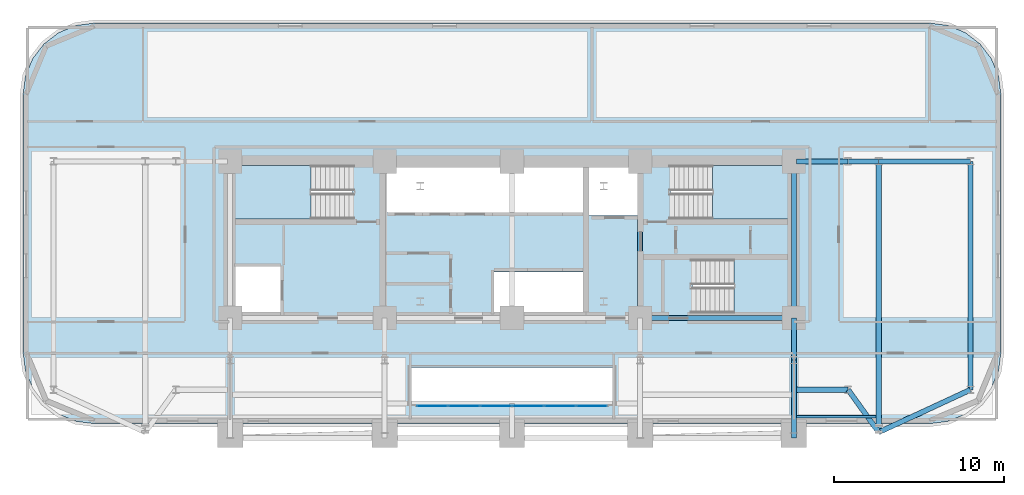
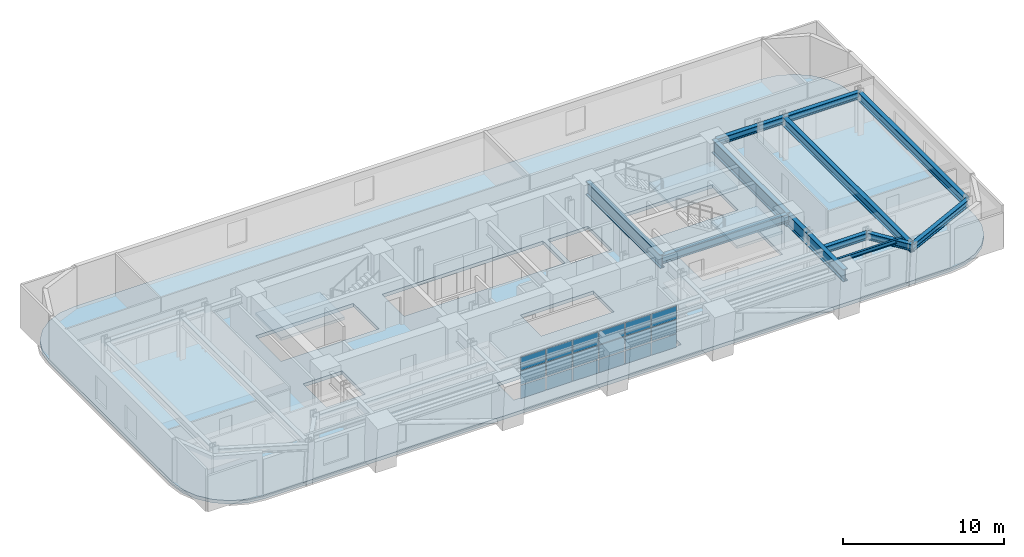
# One storey, part 6 of 15: 18 plates, 14 beams, 4 slabs, 4 elements without a shape of their own.
"""IFC4 building model written with IfcOpenShell, lengths in metres."""

import ifcopenshell
import ifcopenshell.guid

model = None  # the IFC model being written
_history = None  # IfcOwnerHistory: only IFC2X3 demands one
_inside = {}  # id of a spatial element -> (the spatial element, [elements in it])
_under = {}  # id of a project, library or spatial element -> (it, [spatial elements below it])
_declared = {}  # id of a project -> (the project, [libraries it declares])
_typed = {}  # id of a type object -> (the type object, [elements of that type])
_made_of = {}  # id of a material, layer set ... -> (it, [elements and type objects made of it])


def new_model(schema):
    """Start an empty IFC model of exactly this schema.

    Asked for "IFC4X3", IfcOpenShell would pick the latest addendum, in which some entities
    have other attributes; the version numbers below select the first issue.
    IFC2X3 requires an IfcOwnerHistory on every rooted entity: one is made here for all.
    """
    global model, _history
    if schema == "IFC4X3":
        model = ifcopenshell.file(schema_version=(4, 3, 0, 0))
    else:
        model = ifcopenshell.file(schema=schema)
    _inside.clear()
    _under.clear()
    _declared.clear()
    _typed.clear()
    _made_of.clear()
    _history = None
    if model.schema == "IFC2X3":
        org = make("IfcOrganization", Name="unknown")
        user = make(
            "IfcPersonAndOrganization",
            ThePerson=make("IfcPerson", FamilyName="unknown"),
            TheOrganization=org,
        )
        app = make(
            "IfcApplication",
            ApplicationDeveloper=org,
            Version="unknown",
            ApplicationFullName="unknown",
            ApplicationIdentifier="unknown",
        )
        _history = make(
            "IfcOwnerHistory",
            OwningUser=user,
            OwningApplication=app,
            ChangeAction="ADDED",
            CreationDate=0,
        )
    return model


def make(cls, **values):
    """One entity of the class cls with the attributes given. An attribute that is None is left unset."""
    return model.create_entity(
        cls, **{name: value for name, value in values.items() if value is not None}
    )


def rooted(cls, **values):
    """An entity with a GlobalId (a new one), such as an element, a storey or a relation."""
    return make(cls, GlobalId=ifcopenshell.guid.new(), OwnerHistory=_history, **values)


def si_unit(unit_type, name, prefix=None):
    """IfcSIUnit, for example si_unit("LENGTHUNIT", "METRE", prefix="MILLI")."""
    return make("IfcSIUnit", UnitType=unit_type, Prefix=prefix, Name=name)


def assignment(units):
    """IfcUnitAssignment: the units of a project."""
    return None if units is None else make("IfcUnitAssignment", Units=units)


def point(xyz):
    """IfcCartesianPoint."""
    return None if xyz is None else make("IfcCartesianPoint", Coordinates=xyz)


def direction(xyz):
    """IfcDirection."""
    return None if xyz is None else make("IfcDirection", DirectionRatios=xyz)


def frame(location, z_axis=None, x_axis=None):
    """IfcAxis2Placement3D, a coordinate frame: its origin and axes. An axis left out is left unset."""
    return make(
        "IfcAxis2Placement3D",
        Location=point(location),
        Axis=direction(z_axis),
        RefDirection=direction(x_axis),
    )


def frame_2d(location, x_axis=None):
    """IfcAxis2Placement2D, a coordinate frame in the plane: its origin and x axis."""
    return make(
        "IfcAxis2Placement2D", Location=point(location), RefDirection=direction(x_axis)
    )


def origin():
    """The frame at (0, 0, 0) with its axes left unset."""
    return frame((0.0, 0.0, 0.0))


def origin_2d():
    """The frame at (0, 0) in the plane with its x axis left unset."""
    return frame_2d((0.0, 0.0))


def place(relative_to, where):
    """IfcLocalPlacement: puts the frame where relative to a parent placement (None: the world)."""
    return make(
        "IfcLocalPlacement", PlacementRelTo=relative_to, RelativePlacement=where
    )


def context(
    kind, dimensions, precision=None, world=None, true_north=None, identifier=None
):
    """IfcGeometricRepresentationContext, for example the 3D "Model" context."""
    return make(
        "IfcGeometricRepresentationContext",
        ContextIdentifier=identifier,
        ContextType=kind,
        CoordinateSpaceDimension=dimensions,
        Precision=precision,
        WorldCoordinateSystem=world,
        TrueNorth=true_north,
    )


def subcontext(parent, identifier, kind, view, scale=None):
    """IfcGeometricRepresentationSubContext, for example "Body" below "Model"."""
    return make(
        "IfcGeometricRepresentationSubContext",
        ContextIdentifier=identifier,
        ContextType=kind,
        ParentContext=parent,
        TargetScale=scale,
        TargetView=view,
    )


def project(units=None, contexts=None):
    """IfcProject with its units and contexts."""
    return rooted(
        "IfcProject",
        Name="project",
        RepresentationContexts=contexts,
        UnitsInContext=assignment(units),
    )


def spatial(cls, under=None, at=None, **own):
    """A site, building, storey or space (cls), placed at a placement, below another one or the project."""
    s = rooted(cls, ObjectPlacement=at, **own)
    if under is not None:
        _under.setdefault(under.id(), (under, []))[1].append(s)
    return s


def polyline(points):
    """IfcPolyline through the points."""
    return make("IfcPolyline", Points=[point(p) for p in points])


def profile(cls, at=None, kind="AREA", **sizes):
    """A parametric profile (cls). Its sizes go by their IFC names, for example OverallWidth=200.0."""
    return make(cls, ProfileType=kind, Position=at, **sizes)


def rectangle(**sizes):
    """IfcRectangleProfileDef."""
    return profile("IfcRectangleProfileDef", **sizes)


def i_section(**sizes):
    """IfcIShapeProfileDef."""
    return profile("IfcIShapeProfileDef", **sizes)


def outline(outer, holes=None, kind="AREA"):
    """IfcArbitraryClosedProfileDef: a profile drawn as a closed curve; with holes, ...WithVoids."""
    if holes is None:
        return make("IfcArbitraryClosedProfileDef", ProfileType=kind, OuterCurve=outer)
    return make(
        "IfcArbitraryProfileDefWithVoids",
        ProfileType=kind,
        OuterCurve=outer,
        InnerCurves=holes,
    )


def extrude(swept, where, along, depth):
    """IfcExtrudedAreaSolid: the profile swept, set in the frame where, extruded along a direction by depth."""
    return make(
        "IfcExtrudedAreaSolid",
        SweptArea=swept,
        Position=where,
        ExtrudedDirection=direction(along),
        Depth=depth,
    )


def shape(context_of_items, identifier, shape_type, items):
    """IfcShapeRepresentation: the items that make up one representation, for example the "Body"."""
    return make(
        "IfcShapeRepresentation",
        ContextOfItems=context_of_items,
        RepresentationIdentifier=identifier,
        RepresentationType=shape_type,
        Items=items,
    )


def material(Name=None, Category=None):
    """IfcMaterial."""
    return make("IfcMaterial", Name=Name, Category=Category)


def layer(
    of_material, thickness, ventilated=None, Name=None, Category=None, Priority=None
):
    """IfcMaterialLayer: one layer of a wall or slab, of a material (None: an air gap)."""
    return make(
        "IfcMaterialLayer",
        Material=of_material,
        LayerThickness=thickness,
        IsVentilated=ventilated,
        Name=Name,
        Category=Category,
        Priority=Priority,
    )


def layer_set(layers, Name=None):
    """IfcMaterialLayerSet."""
    return make("IfcMaterialLayerSet", MaterialLayers=layers, LayerSetName=Name)


def material_profile(
    of_material, cross_section, Name=None, Category=None, Priority=None
):
    """IfcMaterialProfile: a cross section and its material."""
    return make(
        "IfcMaterialProfile",
        Name=Name,
        Material=of_material,
        Profile=cross_section,
        Priority=Priority,
        Category=Category,
    )


def profile_set(profiles, Name=None, composite=None):
    """IfcMaterialProfileSet."""
    return make(
        "IfcMaterialProfileSet",
        Name=Name,
        MaterialProfiles=profiles,
        CompositeProfile=composite,
    )


def made_of(thing, what):
    """Note that an element or type object is made of a material, layer set ...; save() writes the relation."""
    if what is not None:
        _made_of.setdefault(what.id(), (what, []))[1].append(thing)
    return thing


def type_object(cls, material=None, **own):
    """A type object (cls), such as IfcWallType, which elements share."""
    return made_of(rooted(cls, **own), material)


def element(
    cls,
    number,
    at=None,
    inside=None,
    cuts=None,
    type_object=None,
    material=None,
    context=None,
    identifier="Body",
    shape_type=None,
    held_by="IfcProductDefinitionShape",
    body=None,
    shapes=None,
    **own,
):
    """One element of the class cls, such as IfcWall. Its Tag is "e" and its number.

    at: its placement. inside: the storey or other place that contains it. cuts: it is an
    opening in that element (IfcRelVoidsElement). A single representation is given by context,
    identifier, shape_type and body (its items); several are given by shapes. held_by: the class
    of the entity that holds the representations. save() writes the other relations.
    """
    e = rooted(cls, Tag="e%d" % number, ObjectPlacement=at, **own)
    if body is not None:
        shapes = [shape(context, identifier, shape_type, body)]
    if shapes is not None:
        e.Representation = make(held_by, Representations=shapes)
    if inside is not None:
        _inside.setdefault(inside.id(), (inside, []))[1].append(e)
    if cuts is not None:
        rooted(
            "IfcRelVoidsElement", RelatingBuildingElement=cuts, RelatedOpeningElement=e
        )
    if type_object is not None:
        _typed.setdefault(type_object.id(), (type_object, []))[1].append(e)
    return made_of(e, material)


def aggregate(whole, parts):
    """IfcRelAggregates: a whole, such as a stair, and the parts it consists of."""
    return rooted("IfcRelAggregates", RelatingObject=whole, RelatedObjects=parts)


def save(model, path):
    """Write the relations noted so far, then the file.

    IfcRelAggregates (storeys below a building ...), IfcRelContainedInSpatialStructure (elements
    in a storey), IfcRelDefinesByType, IfcRelAssociatesMaterial and IfcRelDeclares: one each for
    every whole, place, type object, material and project.
    """
    for whole, parts in _under.values():
        aggregate(whole, parts)
    for where, things in _inside.values():
        rooted(
            "IfcRelContainedInSpatialStructure",
            RelatedElements=things,
            RelatingStructure=where,
        )
    for kind, things in _typed.values():
        rooted("IfcRelDefinesByType", RelatedObjects=things, RelatingType=kind)
    for what, things in _made_of.values():
        rooted("IfcRelAssociatesMaterial", RelatedObjects=things, RelatingMaterial=what)
    for by, libraries in _declared.values():
        rooted("IfcRelDeclares", RelatingContext=by, RelatedDefinitions=libraries)
    model.write(path)


model = new_model("IFC4")

# Units and contexts
model_context = context("Model", 3, precision=1e-05, world=origin(), true_north=direction((0.0, 1.0)))
body_context = subcontext(model_context, "Body", "Model", "MODEL_VIEW")
ifc_project = project(units=[si_unit("LENGTHUNIT", "METRE"), si_unit("AREAUNIT", "SQUARE_METRE"), si_unit("VOLUMEUNIT", "CUBIC_METRE"), si_unit("PLANEANGLEUNIT", "RADIAN"), si_unit("MASSUNIT", "GRAM", prefix="KILO")], contexts=[model_context])

# Site, building, storey
site_placement = place(None, origin())
site = spatial("IfcSite", under=ifc_project, at=site_placement, CompositionType="ELEMENT")
building_placement = place(site_placement, origin())
building = spatial("IfcBuilding", under=site, at=building_placement, Name="Zarnavel Station Tower", CompositionType="ELEMENT")
storey_placement = place(building_placement, frame((0.0, 0.0, 57.0)))
storey = spatial("IfcBuildingStorey", under=building, at=storey_placement, Name="L15", CompositionType="ELEMENT", Elevation=57.0)

# Beams
ifc_material_1 = material(Name="Steel S355J2", Category="steel")
ifc_material_profile_1 = material_profile(ifc_material_1, i_section(OverallWidth=0.300048828125, OverallDepth=0.5, WebThickness=0.014404296875, FlangeThickness=0.028076171875, FilletRadius=0.027099609375, at=origin_2d()), Name="HEB500")
ifc_profile_set_1 = profile_set([ifc_material_profile_1], Name="Steel S355J2")
beam_type_1 = type_object("IfcBeamType", Name="FG_HEB500", PredefinedType="USERDEFINED", material=ifc_profile_set_1)
for number, where, z_axis, x_axis, name in (
    (1, (45.544921875, 23.60009765625, 2.989990234375), (1.0, 0.0, 0.0), (0.0, 1.0, 0.0), "L15 East Wing South Tie 1"),
    (2, (45.544921875, 37.050048828125, 2.989990234375), (1.0, 0.0, 0.0), (0.0, 1.0, 0.0), "L15 East Wing North Tie 1"),
):
    element("IfcBeam", number, at=place(storey_placement, frame(where, z_axis=z_axis, x_axis=x_axis)), inside=storey, type_object=beam_type_1, Name=name, ObjectType="GIRDER", PredefinedType="USERDEFINED", context=body_context, shape_type="SweptSolid", body=[
        extrude(i_section(OverallWidth=0.300048828125, OverallDepth=0.5, WebThickness=0.014404296875, FlangeThickness=0.028076171875, FilletRadius=0.027099609375, at=origin_2d()), origin(), (0.0, 0.0, 1.0), 3.05517578125),
    ])
beam_1_placement = place(storey_placement, frame((48.60009765625, 23.60009765625, 2.989990234375), z_axis=(0.583662149907, -0.811996610071, 0.0), x_axis=(0.811996610071, 0.583662149907, 0.0)))
element("IfcBeam", 3, at=beam_1_placement, inside=storey, type_object=beam_type_1, Name="L15 East Wing South Tie 2", ObjectType="GIRDER", PredefinedType="USERDEFINED", context=body_context, shape_type="SweptSolid", body=[
    extrude(i_section(OverallWidth=0.300048828125, OverallDepth=0.5, WebThickness=0.014404296875, FlangeThickness=0.028076171875, FilletRadius=0.027099609375, at=origin_2d()), origin(), (0.0, 0.0, 1.0), 3.083740234375),
])
beam_2_placement = place(storey_placement, frame((48.60009765625, 37.050048828125, 2.989990234375), z_axis=(1.0, 0.0, 0.0), x_axis=(0.0, 1.0, 0.0)))
element("IfcBeam", 4, at=beam_2_placement, inside=storey, type_object=beam_type_1, Name="L15 East Wing North Tie 2", ObjectType="GIRDER", PredefinedType="USERDEFINED", context=body_context, shape_type="SweptSolid", body=[
    extrude(i_section(OverallWidth=0.300048828125, OverallDepth=0.5, WebThickness=0.014404296875, FlangeThickness=0.028076171875, FilletRadius=0.027099609375, at=origin_2d()), origin(), (0.0, 0.0, 1.0), 1.7998046875),
])
beam_3_placement = place(storey_placement, frame((50.39990234375, 21.09619140625, 2.989990234375), z_axis=(0.907220902242, 0.4206545311, 0.0), x_axis=(-0.4206545311, 0.907220902242, 0.0)))
element("IfcBeam", 5, at=beam_3_placement, inside=storey, type_object=beam_type_1, Name="L15 East Wing South Tie 3", ObjectType="GIRDER", PredefinedType="USERDEFINED", context=body_context, shape_type="SweptSolid", body=[
    extrude(i_section(OverallWidth=0.300048828125, OverallDepth=0.5, WebThickness=0.014404296875, FlangeThickness=0.028076171875, FilletRadius=0.027099609375, at=origin_2d()), origin(), (0.0, 0.0, 1.0), 5.952392578125),
])
beam_4_placement = place(storey_placement, frame((50.39990234375, 37.050048828125, 2.989990234375), z_axis=(1.0, 0.0, 0.0), x_axis=(0.0, 1.0, 0.0)))
element("IfcBeam", 6, at=beam_4_placement, inside=storey, type_object=beam_type_1, Name="L15 East Wing North Tie 3", ObjectType="GIRDER", PredefinedType="USERDEFINED", context=body_context, shape_type="SweptSolid", body=[
    extrude(i_section(OverallWidth=0.300048828125, OverallDepth=0.5, WebThickness=0.014404296875, FlangeThickness=0.028076171875, FilletRadius=0.027099609375, at=origin_2d()), origin(), (0.0, 0.0, 1.0), 5.400146484375),
])
ifc_material_2 = material(Name="Steel S355J2", Category="steel")
ifc_material_profile_2 = material_profile(ifc_material_2, i_section(OverallWidth=0.300048828125, OverallDepth=0.60009765625, WebThickness=0.015380859375, FlangeThickness=0.030029296875, FilletRadius=0.027099609375, at=origin_2d()), Name="HEB600")
ifc_profile_set_2 = profile_set([ifc_material_profile_2], Name="Steel S355J2")
beam_type_2 = type_object("IfcBeamType", Name="FG_HEB600", PredefinedType="USERDEFINED", material=ifc_profile_set_2)
beam_5_placement = place(storey_placement, frame((36.35009765625, 27.820068359375, 2.93994140625), z_axis=(1.0, 0.0, 0.0), x_axis=(0.0, 1.0, 0.0)))
element("IfcBeam", 7, at=beam_5_placement, inside=storey, type_object=beam_type_2, Name="L15 Core Front Coupling Beam 4", ObjectType="GIRDER", PredefinedType="USERDEFINED", context=body_context, shape_type="SweptSolid", body=[
    extrude(i_section(OverallWidth=0.300048828125, OverallDepth=0.60009765625, WebThickness=0.015380859375, FlangeThickness=0.030029296875, FilletRadius=0.027099609375, at=origin_2d()), origin(), (0.0, 0.0, 1.0), 9.0498046875),
])
ifc_material_3 = material(Name="Steel S355J2", Category="steel")
ifc_material_profile_3 = material_profile(ifc_material_3, i_section(OverallWidth=0.300048828125, OverallDepth=0.64990234375, WebThickness=0.01611328125, FlangeThickness=0.031005859375, FilletRadius=0.027099609375, at=origin_2d()), Name="HEB650")
ifc_profile_set_3 = profile_set([ifc_material_profile_3], Name="Steel S355J2")
beam_type_3 = type_object("IfcBeamType", Name="FG_HEB650", PredefinedType="USERDEFINED", material=ifc_profile_set_3)
beam_6_placement = place(storey_placement, frame((50.39990234375, 21.09619140625, 2.9150390625), z_axis=(0.0, 1.0, 0.0), x_axis=(-1.0, 0.0, 0.0)))
element("IfcBeam", 8, at=beam_6_placement, inside=storey, type_object=beam_type_3, Name="L15 Wing NS Girder 3", ObjectType="GIRDER", PredefinedType="USERDEFINED", context=body_context, shape_type="SweptSolid", body=[
    extrude(i_section(OverallWidth=0.300048828125, OverallDepth=0.64990234375, WebThickness=0.01611328125, FlangeThickness=0.031005859375, FilletRadius=0.027099609375, at=origin_2d()), origin(), (0.0, 0.0, 1.0), 15.953857421875),
])
beam_7_placement = place(storey_placement, frame((55.800048828125, 23.60009765625, 2.9150390625), z_axis=(0.0, 1.0, 0.0), x_axis=(-1.0, 0.0, 0.0)))
element("IfcBeam", 9, at=beam_7_placement, inside=storey, type_object=beam_type_3, Name="L15 Wing NS Girder 4", ObjectType="GIRDER", PredefinedType="USERDEFINED", context=body_context, shape_type="SweptSolid", body=[
    extrude(i_section(OverallWidth=0.300048828125, OverallDepth=0.64990234375, WebThickness=0.01611328125, FlangeThickness=0.031005859375, FilletRadius=0.027099609375, at=origin_2d()), origin(), (0.0, 0.0, 1.0), 13.449951171875),
])
ifc_material_4 = material(Name="Steel S355J2", Category="steel")
ifc_material_profile_4 = material_profile(ifc_material_4, i_section(OverallWidth=0.14990234375, OverallDepth=0.300048828125, WebThickness=0.007080078125, FlangeThickness=0.0107421875, FilletRadius=0.014892578125, at=origin_2d()), Name="IPE300")
ifc_profile_set_4 = profile_set([ifc_material_profile_4], Name="Steel S355J2")
beam_type_4 = type_object("IfcBeamType", Name="FJ_IPE300", PredefinedType="JOIST", material=ifc_profile_set_4)
beam_8_placement = place(storey_placement, frame((45.544921875, 22.0126953125, 3.090087890625), z_axis=(1.0, 0.0, 0.0), x_axis=(0.0, 1.0, 0.0)))
element("IfcBeam", 10, at=beam_8_placement, inside=storey, type_object=beam_type_4, Name="L15 East Wing Joist 1", PredefinedType="JOIST", context=body_context, shape_type="SweptSolid", body=[
    extrude(i_section(OverallWidth=0.14990234375, OverallDepth=0.300048828125, WebThickness=0.007080078125, FlangeThickness=0.0107421875, FilletRadius=0.014892578125, at=origin_2d()), origin(), (0.0, 0.0, 1.0), 4.7099609375),
])
ifc_material_5 = material(Name="Steel S460M", Category="steel")
ifc_material_profile_5 = material_profile(ifc_material_5, i_section(OverallWidth=0.302001953125, OverallDepth=1.008056640625, WebThickness=0.02099609375, FlangeThickness=0.0400390625, FilletRadius=0.030029296875, at=origin_2d()), Name="HEM1000")
ifc_profile_set_5 = profile_set([ifc_material_profile_5], Name="Steel S460M")
beam_type_5 = type_object("IfcBeamType", Name="TG_HEM1000", PredefinedType="USERDEFINED", material=ifc_profile_set_5)
for number, where, z_axis, x_axis, name in (
    (11, (36.35009765625, 27.820068359375, 2.736083984375), (0.0, 1.0, 0.0), (-1.0, 0.0, 0.0), "L15 Core Spine Coupling Girder 4"),
    (12, (45.39990234375, 27.820068359375, 2.736083984375), (0.0, 1.0, 0.0), (-1.0, 0.0, 0.0), "L15 Core Spine Coupling Girder 5"),
):
    element("IfcBeam", number, at=place(storey_placement, frame(where, z_axis=z_axis, x_axis=x_axis)), inside=storey, type_object=beam_type_5, Name=name, ObjectType="GIRDER", PredefinedType="USERDEFINED", context=body_context, shape_type="SweptSolid", body=[
        extrude(i_section(OverallWidth=0.302001953125, OverallDepth=1.008056640625, WebThickness=0.02099609375, FlangeThickness=0.0400390625, FilletRadius=0.030029296875, at=origin_2d()), origin(), (0.0, 0.0, 1.0), 9.22998046875),
    ])
ifc_material_6 = material(Name="Steel S460M", Category="steel")
ifc_material_profile_6 = material_profile(ifc_material_6, i_section(OverallWidth=0.302001953125, OverallDepth=0.909912109375, WebThickness=0.02099609375, FlangeThickness=0.0400390625, FilletRadius=0.030029296875, at=origin_2d()), Name="HEM900")
ifc_profile_set_6 = profile_set([ifc_material_profile_6], Name="Steel S460M")
beam_type_6 = type_object("IfcBeamType", Name="TG_HEM900", PredefinedType="USERDEFINED", material=ifc_profile_set_6)
beam_9_placement = place(storey_placement, frame((45.39990234375, 20.76904296875, 2.784912109375), z_axis=(0.0, 1.0, 0.0), x_axis=(-1.0, 0.0, 0.0)))
element("IfcBeam", 13, at=beam_9_placement, inside=storey, type_object=beam_type_6, Name="L15 South-Zone NS Girder 5", ObjectType="GIRDER", PredefinedType="USERDEFINED", context=body_context, shape_type="SweptSolid", body=[
    extrude(i_section(OverallWidth=0.302001953125, OverallDepth=0.909912109375, WebThickness=0.02099609375, FlangeThickness=0.0400390625, FilletRadius=0.030029296875, at=origin_2d()), origin(), (0.0, 0.0, 1.0), 4.5810546875),
])
beam_10_placement = place(storey_placement, frame((45.39990234375, 25.35009765625, 2.784912109375), z_axis=(0.0, 1.0, 0.0), x_axis=(-1.0, 0.0, 0.0)))
element("IfcBeam", 14, at=beam_10_placement, inside=storey, type_object=beam_type_6, Name="L15 Inner-Zone NS Girder 5", ObjectType="GIRDER", PredefinedType="USERDEFINED", context=body_context, shape_type="SweptSolid", body=[
    extrude(i_section(OverallWidth=0.302001953125, OverallDepth=0.909912109375, WebThickness=0.02099609375, FlangeThickness=0.0400390625, FilletRadius=0.030029296875, at=origin_2d()), origin(), (0.0, 0.0, 1.0), 2.469970703125),
])

# Curtain wall, plates
ifc_material_7 = material(Name="Aluminium Dark Anodised and Solar-Control Glass", Category="aluminium")
ifc_layer_1 = layer(ifc_material_7, 0.179931640625)
ifc_layer_set_1 = layer_set([ifc_layer_1], Name="CWS2")
curtain_wall_type = type_object("IfcCurtainWallType", Name="CWS2", PredefinedType="NOTDEFINED", material=ifc_layer_set_1)
curtain_wall_placement = place(storey_placement, origin())
curtain_wall = element("IfcCurtainWall", 15, at=curtain_wall_placement, inside=storey, type_object=curtain_wall_type, Name="L15 Curtain Wall CWS2-L15-AS", PredefinedType="NOTDEFINED")
ifc_material_8 = material(Name="Double Low-E Dark Solar-Control Glass", Category="glass")
ifc_layer_2 = layer(ifc_material_8, 0.028076171875)
ifc_layer_set_2 = layer_set([ifc_layer_2], Name="CWS2_PNL")
plate_type = type_object("IfcPlateType", Name="CWS2_PNL", PredefinedType="CURTAIN_PANEL", material=ifc_layer_set_2)
plate_1_placement = place(storey_placement, frame((24.106689453125, 22.64990234375, 0.06005859375), z_axis=(0.0, 0.0, 1.0), x_axis=(1.0, 0.0, 0.0)))
plate_1 = element("IfcPlate", 16, at=plate_1_placement, type_object=plate_type, Name="CW2 panel 1.1", PredefinedType="CURTAIN_PANEL", context=body_context, shape_type="SweptSolid", body=[
    extrude(rectangle(XDim=1.793212890625, YDim=0.028076171875, at=origin_2d()), origin(), (0.0, 0.0, 1.0), 0.989990234375),
])
plate_2_placement = place(storey_placement, frame((24.106689453125, 22.64990234375, 1.110107421875), z_axis=(0.0, 0.0, 1.0), x_axis=(1.0, 0.0, 0.0)))
plate_2 = element("IfcPlate", 17, at=plate_2_placement, type_object=plate_type, Name="CW2 panel 1.2", PredefinedType="CURTAIN_PANEL", context=body_context, shape_type="SweptSolid", body=[
    extrude(rectangle(XDim=1.793212890625, YDim=0.028076171875, at=origin_2d()), origin(), (0.0, 0.0, 1.0), 1.02001953125),
])
plate_3_placement = place(storey_placement, frame((24.106689453125, 22.64990234375, 2.18994140625), z_axis=(0.0, 0.0, 1.0), x_axis=(1.0, 0.0, 0.0)))
plate_3 = element("IfcPlate", 18, at=plate_3_placement, type_object=plate_type, Name="CW2 panel 1.3", PredefinedType="CURTAIN_PANEL", context=body_context, shape_type="SweptSolid", body=[
    extrude(rectangle(XDim=1.793212890625, YDim=0.028076171875, at=origin_2d()), origin(), (0.0, 0.0, 1.0), 0.989990234375),
])
plate_4_placement = place(storey_placement, frame((25.97509765625, 22.64990234375, 0.06005859375), z_axis=(0.0, 0.0, 1.0), x_axis=(1.0, 0.0, 0.0)))
plate_4 = element("IfcPlate", 19, at=plate_4_placement, type_object=plate_type, Name="CW2 panel 2.1", PredefinedType="CURTAIN_PANEL", context=body_context, shape_type="SweptSolid", body=[
    extrude(rectangle(XDim=1.8232421875, YDim=0.028076171875, at=origin_2d()), origin(), (0.0, 0.0, 1.0), 0.989990234375),
])
plate_5_placement = place(storey_placement, frame((25.97509765625, 22.64990234375, 1.110107421875), z_axis=(0.0, 0.0, 1.0), x_axis=(1.0, 0.0, 0.0)))
plate_5 = element("IfcPlate", 20, at=plate_5_placement, type_object=plate_type, Name="CW2 panel 2.2", PredefinedType="CURTAIN_PANEL", context=body_context, shape_type="SweptSolid", body=[
    extrude(rectangle(XDim=1.8232421875, YDim=0.028076171875, at=origin_2d()), origin(), (0.0, 0.0, 1.0), 1.02001953125),
])
plate_6_placement = place(storey_placement, frame((25.97509765625, 22.64990234375, 2.18994140625), z_axis=(0.0, 0.0, 1.0), x_axis=(1.0, 0.0, 0.0)))
plate_6 = element("IfcPlate", 21, at=plate_6_placement, type_object=plate_type, Name="CW2 panel 2.3", PredefinedType="CURTAIN_PANEL", context=body_context, shape_type="SweptSolid", body=[
    extrude(rectangle(XDim=1.8232421875, YDim=0.028076171875, at=origin_2d()), origin(), (0.0, 0.0, 1.0), 0.989990234375),
])
plate_7_placement = place(storey_placement, frame((27.8583984375, 22.64990234375, 0.06005859375), z_axis=(0.0, 0.0, 1.0), x_axis=(1.0, 0.0, 0.0)))
plate_7 = element("IfcPlate", 22, at=plate_7_placement, type_object=plate_type, Name="CW2 panel 3.1", PredefinedType="CURTAIN_PANEL", context=body_context, shape_type="SweptSolid", body=[
    extrude(rectangle(XDim=1.8232421875, YDim=0.028076171875, at=origin_2d()), origin(), (0.0, 0.0, 1.0), 0.989990234375),
])
plate_8_placement = place(storey_placement, frame((27.8583984375, 22.64990234375, 1.110107421875), z_axis=(0.0, 0.0, 1.0), x_axis=(1.0, 0.0, 0.0)))
plate_8 = element("IfcPlate", 23, at=plate_8_placement, type_object=plate_type, Name="CW2 panel 3.2", PredefinedType="CURTAIN_PANEL", context=body_context, shape_type="SweptSolid", body=[
    extrude(rectangle(XDim=1.8232421875, YDim=0.028076171875, at=origin_2d()), origin(), (0.0, 0.0, 1.0), 1.02001953125),
])
plate_9_placement = place(storey_placement, frame((27.8583984375, 22.64990234375, 2.18994140625), z_axis=(0.0, 0.0, 1.0), x_axis=(1.0, 0.0, 0.0)))
plate_9 = element("IfcPlate", 24, at=plate_9_placement, type_object=plate_type, Name="CW2 panel 3.3", PredefinedType="CURTAIN_PANEL", context=body_context, shape_type="SweptSolid", body=[
    extrude(rectangle(XDim=1.8232421875, YDim=0.028076171875, at=origin_2d()), origin(), (0.0, 0.0, 1.0), 0.989990234375),
])
plate_10_placement = place(storey_placement, frame((29.74169921875, 22.64990234375, 0.06005859375), z_axis=(0.0, 0.0, 1.0), x_axis=(1.0, 0.0, 0.0)))
plate_10 = element("IfcPlate", 25, at=plate_10_placement, type_object=plate_type, Name="CW2 panel 4.1", PredefinedType="CURTAIN_PANEL", context=body_context, shape_type="SweptSolid", body=[
    extrude(rectangle(XDim=1.8232421875, YDim=0.028076171875, at=origin_2d()), origin(), (0.0, 0.0, 1.0), 0.989990234375),
])
plate_11_placement = place(storey_placement, frame((29.74169921875, 22.64990234375, 1.110107421875), z_axis=(0.0, 0.0, 1.0), x_axis=(1.0, 0.0, 0.0)))
plate_11 = element("IfcPlate", 26, at=plate_11_placement, type_object=plate_type, Name="CW2 panel 4.2", PredefinedType="CURTAIN_PANEL", context=body_context, shape_type="SweptSolid", body=[
    extrude(rectangle(XDim=1.8232421875, YDim=0.028076171875, at=origin_2d()), origin(), (0.0, 0.0, 1.0), 1.02001953125),
])
plate_12_placement = place(storey_placement, frame((29.74169921875, 22.64990234375, 2.18994140625), z_axis=(0.0, 0.0, 1.0), x_axis=(1.0, 0.0, 0.0)))
plate_12 = element("IfcPlate", 27, at=plate_12_placement, type_object=plate_type, Name="CW2 panel 4.3", PredefinedType="CURTAIN_PANEL", context=body_context, shape_type="SweptSolid", body=[
    extrude(rectangle(XDim=1.8232421875, YDim=0.028076171875, at=origin_2d()), origin(), (0.0, 0.0, 1.0), 0.989990234375),
])
plate_13_placement = place(storey_placement, frame((31.625, 22.64990234375, 0.06005859375), z_axis=(0.0, 0.0, 1.0), x_axis=(1.0, 0.0, 0.0)))
plate_13 = element("IfcPlate", 28, at=plate_13_placement, type_object=plate_type, Name="CW2 panel 5.1", PredefinedType="CURTAIN_PANEL", context=body_context, shape_type="SweptSolid", body=[
    extrude(rectangle(XDim=1.8232421875, YDim=0.028076171875, at=origin_2d()), origin(), (0.0, 0.0, 1.0), 0.989990234375),
])
plate_14_placement = place(storey_placement, frame((31.625, 22.64990234375, 1.110107421875), z_axis=(0.0, 0.0, 1.0), x_axis=(1.0, 0.0, 0.0)))
plate_14 = element("IfcPlate", 29, at=plate_14_placement, type_object=plate_type, Name="CW2 panel 5.2", PredefinedType="CURTAIN_PANEL", context=body_context, shape_type="SweptSolid", body=[
    extrude(rectangle(XDim=1.8232421875, YDim=0.028076171875, at=origin_2d()), origin(), (0.0, 0.0, 1.0), 1.02001953125),
])
plate_15_placement = place(storey_placement, frame((31.625, 22.64990234375, 2.18994140625), z_axis=(0.0, 0.0, 1.0), x_axis=(1.0, 0.0, 0.0)))
plate_15 = element("IfcPlate", 30, at=plate_15_placement, type_object=plate_type, Name="CW2 panel 5.3", PredefinedType="CURTAIN_PANEL", context=body_context, shape_type="SweptSolid", body=[
    extrude(rectangle(XDim=1.8232421875, YDim=0.028076171875, at=origin_2d()), origin(), (0.0, 0.0, 1.0), 0.989990234375),
])
plate_16_placement = place(storey_placement, frame((33.493408203125, 22.64990234375, 0.06005859375), z_axis=(0.0, 0.0, 1.0), x_axis=(1.0, 0.0, 0.0)))
plate_16 = element("IfcPlate", 31, at=plate_16_placement, type_object=plate_type, Name="CW2 panel 6.1", PredefinedType="CURTAIN_PANEL", context=body_context, shape_type="SweptSolid", body=[
    extrude(rectangle(XDim=1.793212890625, YDim=0.028076171875, at=origin_2d()), origin(), (0.0, 0.0, 1.0), 0.989990234375),
])
plate_17_placement = place(storey_placement, frame((33.493408203125, 22.64990234375, 1.110107421875), z_axis=(0.0, 0.0, 1.0), x_axis=(1.0, 0.0, 0.0)))
plate_17 = element("IfcPlate", 32, at=plate_17_placement, type_object=plate_type, Name="CW2 panel 6.2", PredefinedType="CURTAIN_PANEL", context=body_context, shape_type="SweptSolid", body=[
    extrude(rectangle(XDim=1.793212890625, YDim=0.028076171875, at=origin_2d()), origin(), (0.0, 0.0, 1.0), 1.02001953125),
])
plate_18_placement = place(storey_placement, frame((33.493408203125, 22.64990234375, 2.18994140625), z_axis=(0.0, 0.0, 1.0), x_axis=(1.0, 0.0, 0.0)))
plate_18 = element("IfcPlate", 33, at=plate_18_placement, type_object=plate_type, Name="CW2 panel 6.3", PredefinedType="CURTAIN_PANEL", context=body_context, shape_type="SweptSolid", body=[
    extrude(rectangle(XDim=1.793212890625, YDim=0.028076171875, at=origin_2d()), origin(), (0.0, 0.0, 1.0), 0.989990234375),
])
aggregate(curtain_wall, [plate_1, plate_2, plate_3, plate_4, plate_5, plate_6, plate_7, plate_8, plate_9, plate_10, plate_11, plate_12, plate_13, plate_14, plate_15, plate_16, plate_17, plate_18])

# Slab
ifc_material_9 = material(Name="Concrete C45/55", Category="concrete")
ifc_layer_3 = layer(ifc_material_9, 0.260009765625)
ifc_layer_set_3 = layer_set([ifc_layer_3], Name="SL_FLR_260")
slab_type_1 = type_object("IfcSlabType", Name="SL_FLR_260", PredefinedType="FLOOR", material=ifc_layer_set_3)
slab_1_placement = place(storey_placement, frame((0.0, 0.0, -0.260009765625)))
element("IfcSlab", 34, at=slab_1_placement, inside=storey, type_object=slab_type_1, Name="L15 Structural Floor Slab", PredefinedType="FLOOR", context=body_context, shape_type="SweptSolid", body=[
    extrude(outline(polyline([(53.39990234375, 21.60009765625), (54.487060546875, 21.7431640625), (55.5, 22.16259765625), (56.369873046875, 22.830078125), (57.037353515625, 23.699951171875), (57.456787109375, 24.712890625), (57.60009765625, 25.800048828125), (57.60009765625, 41.0), (57.456787109375, 42.0869140625), (57.037353515625, 43.10009765625), (56.369873046875, 43.9697265625), (55.5, 44.63720703125), (54.487060546875, 45.056884765625), (53.39990234375, 45.199951171875), (4.199951171875, 45.199951171875), (3.113037109375, 45.056884765625), (2.10009765625, 44.63720703125), (1.230224609375, 43.9697265625), (0.562744140625, 43.10009765625), (0.14306640625, 42.0869140625), (0.0, 41.0), (0.0, 25.800048828125), (0.14306640625, 24.712890625), (0.562744140625, 23.699951171875), (1.230224609375, 22.830078125), (2.10009765625, 22.16259765625), (3.113037109375, 21.7431640625), (4.199951171875, 21.60009765625), (53.39990234375, 21.60009765625)]), holes=[polyline([(12.39990234375, 33.659912109375), (19.409912109375, 33.659912109375), (19.409912109375, 36.820068359375), (12.39990234375, 36.820068359375), (12.39990234375, 33.659912109375)]), polyline([(38.14990234375, 33.659912109375), (45.159912109375, 33.659912109375), (45.159912109375, 36.820068359375), (38.14990234375, 36.820068359375), (38.14990234375, 33.659912109375)]), polyline([(39.419921875, 28.1201171875), (45.14990234375, 28.1201171875), (45.14990234375, 31.280029296875), (39.419921875, 31.280029296875), (39.419921875, 28.1201171875)]), polyline([(12.35009765625, 27.949951171875), (15.14990234375, 27.949951171875), (15.14990234375, 30.85009765625), (12.35009765625, 30.85009765625), (12.35009765625, 27.949951171875)]), polyline([(33.320068359375, 33.85009765625), (36.2099609375, 33.85009765625), (36.2099609375, 36.780029296875), (33.320068359375, 36.780029296875), (33.320068359375, 33.85009765625)]), polyline([(21.449951171875, 34.050048828125), (32.97998046875, 34.050048828125), (32.97998046875, 36.780029296875), (21.449951171875, 36.780029296875), (21.449951171875, 34.050048828125)]), polyline([(27.75, 27.949951171875), (32.97998046875, 27.949951171875), (32.97998046875, 30.550048828125), (27.75, 30.550048828125), (27.75, 27.949951171875)]), polyline([(22.800048828125, 22.800048828125), (34.800048828125, 22.800048828125), (34.800048828125, 24.89990234375), (22.800048828125, 24.89990234375), (22.800048828125, 22.800048828125)])]), origin(), (0.0, 0.0, 1.0), 0.260009765625),
])

# Stair, slab
ifc_material_10 = material(Name="Concrete C45/55", Category="concrete")
stair_type = type_object("IfcStairType", Name="ST_CORE_150", PredefinedType="HALF_TURN_STAIR", material=ifc_material_10)
stair_1_placement = place(storey_placement, origin())
stair_1 = element("IfcStair", 35, at=stair_1_placement, inside=storey, type_object=stair_type, Name="L15 Core Exit Stair ST1", PredefinedType="HALF_TURN_STAIR")
ifc_material_11 = material(Name="Concrete C45/55", Category="concrete")
ifc_layer_4 = layer(ifc_material_11, 0.199951171875)
ifc_layer_set_4 = layer_set([ifc_layer_4], Name="SL_STAIR_LAND_200")
slab_type_2 = type_object("IfcSlabType", Name="SL_STAIR_LAND_200", PredefinedType="LANDING", material=ifc_layer_set_4)
slab_2_placement = place(storey_placement, frame((0.0, 0.0, 1.550048828125)))
slab_2 = element("IfcSlab", 36, at=slab_2_placement, type_object=slab_type_2, Name="ST1 landing 1", PredefinedType="LANDING", context=body_context, shape_type="SweptSolid", body=[
    extrude(outline(polyline([(16.9599609375, 36.820068359375), (12.39990234375, 36.820068359375), (12.39990234375, 33.659912109375), (16.9599609375, 33.659912109375), (16.9599609375, 36.820068359375)])), origin(), (0.0, 0.0, 1.0), 0.199951171875),
])
aggregate(stair_1, [slab_2])

stair_2_placement = place(storey_placement, origin())
stair_2 = element("IfcStair", 37, at=stair_2_placement, inside=storey, type_object=stair_type, Name="L15 Core Exit Stair ST2", PredefinedType="HALF_TURN_STAIR")
slab_3_placement = place(storey_placement, frame((0.0, 0.0, 1.550048828125)))
slab_3 = element("IfcSlab", 38, at=slab_3_placement, type_object=slab_type_2, Name="ST2 landing 1", PredefinedType="LANDING", context=body_context, shape_type="SweptSolid", body=[
    extrude(outline(polyline([(40.60009765625, 33.659912109375), (45.159912109375, 33.659912109375), (45.159912109375, 36.820068359375), (40.60009765625, 36.820068359375), (40.60009765625, 33.659912109375)])), origin(), (0.0, 0.0, 1.0), 0.199951171875),
])
aggregate(stair_2, [slab_3])

stair_3_placement = place(storey_placement, origin())
stair_3 = element("IfcStair", 39, at=stair_3_placement, inside=storey, type_object=stair_type, Name="L15 Core Exit Stair ST3", PredefinedType="HALF_TURN_STAIR")
slab_4_placement = place(storey_placement, frame((0.0, 0.0, 1.550048828125)))
slab_4 = element("IfcSlab", 40, at=slab_4_placement, type_object=slab_type_2, Name="ST3 landing 1", PredefinedType="LANDING", context=body_context, shape_type="SweptSolid", body=[
    extrude(outline(polyline([(41.8701171875, 28.1201171875), (45.14990234375, 28.1201171875), (45.14990234375, 31.280029296875), (41.8701171875, 31.280029296875), (41.8701171875, 28.1201171875)])), origin(), (0.0, 0.0, 1.0), 0.199951171875),
])
aggregate(stair_3, [slab_4])

save(model, "model.ifc")
